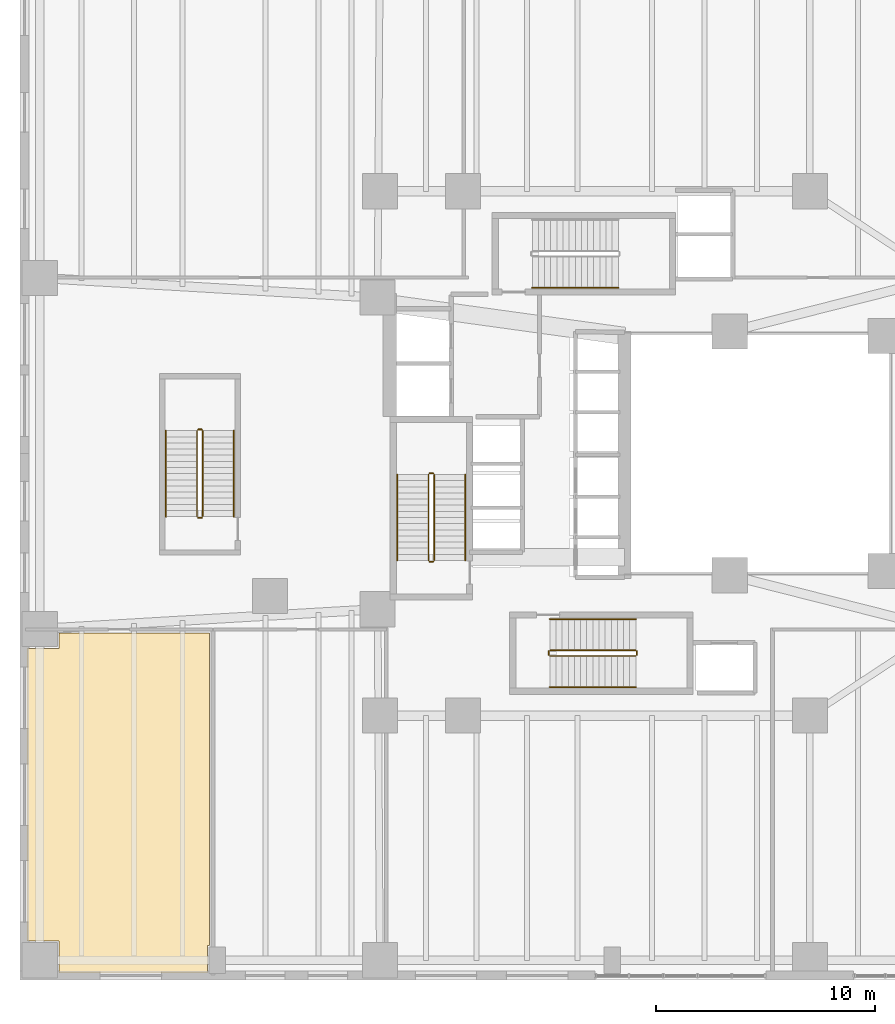
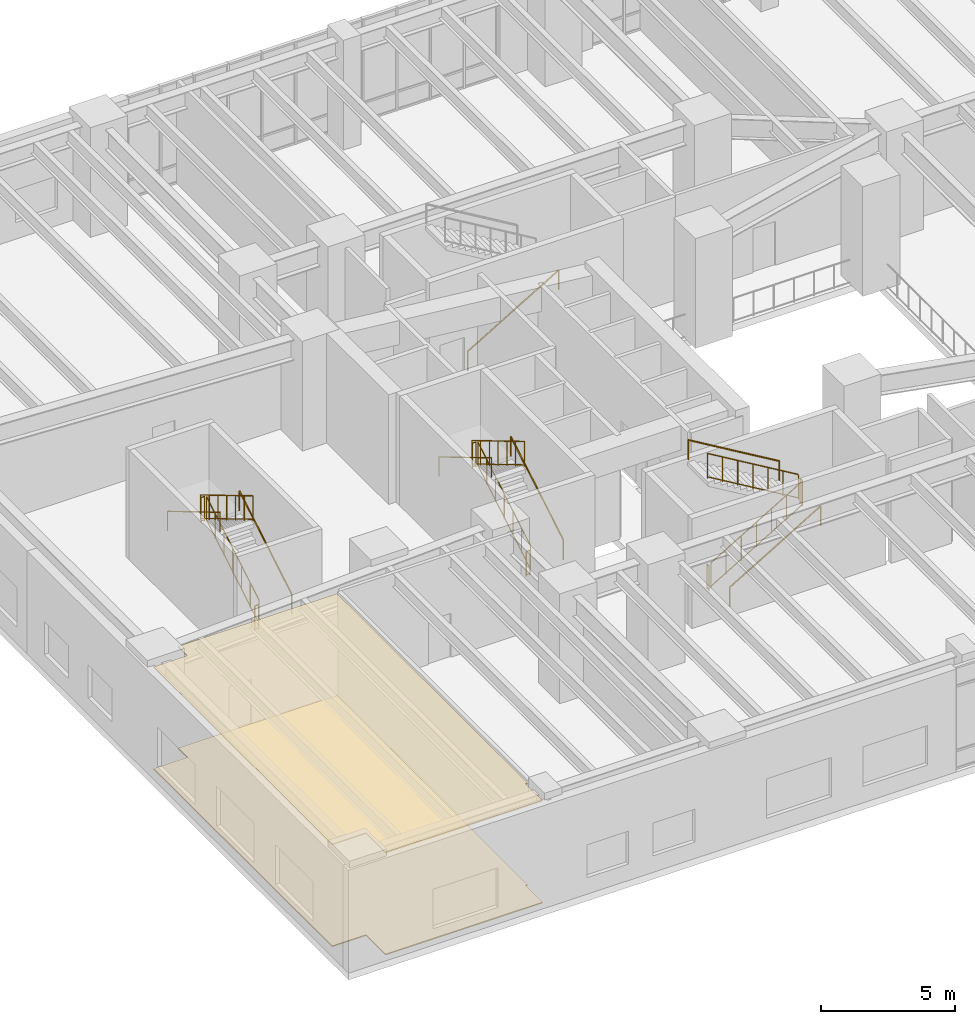
# One storey, part 25 of 26: 19 railings, 2 coverings.
"""IFC4 building model written with IfcOpenShell, lengths in metres."""

from ifc_helpers import new_model, si_unit, direction, frame, origin, origin_2d, place, context, subcontext, project, spatial, polyline, circle, outline, extrude, material, layer, layer_set, type_object, element, save


model = new_model("IFC4")

# Units and contexts
model_context = context("Model", 3, precision=1e-05, world=origin(), true_north=direction((0.0, 1.0)))
body_context = subcontext(model_context, "Body", "Model", "MODEL_VIEW")
ifc_project = project(units=[si_unit("LENGTHUNIT", "METRE"), si_unit("AREAUNIT", "SQUARE_METRE"), si_unit("VOLUMEUNIT", "CUBIC_METRE"), si_unit("PLANEANGLEUNIT", "RADIAN"), si_unit("MASSUNIT", "GRAM", prefix="KILO"), si_unit("THERMODYNAMICTEMPERATUREUNIT", "KELVIN"), si_unit("POWERUNIT", "WATT")], contexts=[model_context])

# Site, building, storey
site_placement = place(None, origin())
site = spatial("IfcSite", under=ifc_project, at=site_placement, CompositionType="ELEMENT")
building_placement = place(site_placement, origin())
building = spatial("IfcBuilding", under=site, at=building_placement, Name="Skarre Station Tower", CompositionType="ELEMENT")
storey_placement = place(building_placement, frame((0.0, 0.0, 6.0)))
storey = spatial("IfcBuildingStorey", under=building, at=storey_placement, Name="L02", CompositionType="ELEMENT", Elevation=6.0)

# Coverings
ifc_material_1 = material(Name="Honed Jura Limestone & Calcium-Sulfate Access Tile", Category="masonry")
ifc_layer_1 = layer(ifc_material_1, 0.050048828125, Name="Honed Jura Limestone & Calcium-Sulfate Access Tile")
ifc_layer_set_1 = layer_set([ifc_layer_1], Name="Honed Jura Limestone & Calcium-Sulfate Access Tile")
covering_type_1 = type_object("IfcCoveringType", Name="Honed Limestone & Raised Access Floor Finish 50", PredefinedType="FLOORING", material=ifc_layer_set_1)
covering_1_placement = place(storey_placement, origin())
element("IfcCovering", 1, at=covering_1_placement, inside=storey, type_object=covering_type_1, Name="L02 Limestone Access Flooring 1", PredefinedType="FLOORING", context=body_context, shape_type="SweptSolid", body=[
    extrude(outline(polyline([(1.780029296875, 0.320068359375), (8.544921875, 0.320068359375), (8.544921875, 1.580078125), (8.634033203125, 1.580078125), (8.634033203125, 15.820068359375), (1.780029296875, 15.820068359375), (1.780029296875, 15.1201171875), (0.320068359375, 15.1201171875), (0.320068359375, 1.780029296875), (1.780029296875, 1.780029296875), (1.780029296875, 0.320068359375)])), origin(), (0.0, 0.0, 1.0), 0.050048828125),
])
ifc_material_2 = material(Name="Perforated Nordic Birch Veneer & Mineral Wool", Category="wood")
ifc_layer_2 = layer(ifc_material_2, 0.044921875, Name="Perforated Nordic Birch Veneer & Mineral Wool")
ifc_layer_set_2 = layer_set([ifc_layer_2], Name="Perforated Nordic Birch Veneer & Mineral Wool")
covering_type_2 = type_object("IfcCoveringType", Name="Nordic Birch Slatted Acoustic Suspended Ceiling 45", PredefinedType="CEILING", material=ifc_layer_set_2)
covering_2_placement = place(storey_placement, frame((0.0, 0.0, 4.64501953125)))
element("IfcCovering", 2, at=covering_2_placement, inside=storey, type_object=covering_type_2, Name="L02 Acoustic Birch Ceiling 1", PredefinedType="CEILING", context=body_context, shape_type="SweptSolid", body=[
    extrude(outline(polyline([(1.780029296875, 0.320068359375), (8.544921875, 0.320068359375), (8.544921875, 1.580078125), (8.634033203125, 1.580078125), (8.634033203125, 15.820068359375), (1.780029296875, 15.820068359375), (1.780029296875, 15.1201171875), (0.320068359375, 15.1201171875), (0.320068359375, 1.780029296875), (1.780029296875, 1.780029296875), (1.780029296875, 0.320068359375)])), origin(), (0.0, 0.0, 1.0), 0.044921875),
])

# Railings
ifc_material_3 = material(Name="Powder-Coated Tubular Steel", Category="steel")
railing_type_1 = type_object("IfcRailingType", Name="Painted Steel Ramp & Stair Handrail 920", PredefinedType="HANDRAIL", material=ifc_material_3)
railing_1_placement = place(storey_placement, frame((20.300048828125, 19.1201171875, 0.166748046875)))
element("IfcRailing", 3, at=railing_1_placement, inside=storey, type_object=railing_type_1, Name="L02 ST-1 stair handrail 1", PredefinedType="HANDRAIL", context=body_context, shape_type="SweptSolid", body=[
    extrude(circle(Radius=0.02392578125, at=origin_2d()), frame((0.0, 0.0, 0.8759765625), z_axis=(0.0, 0.859296244711, 0.511478214419), x_axis=(-1.0, 0.0, 0.0)), (0.0, 0.0, 1.0), 4.561767578125),
    extrude(circle(Radius=0.02099609375, at=origin_2d()), origin(), (0.0, 0.0, 1.0), 0.851806640625),
    extrude(circle(Radius=0.02099609375, at=origin_2d()), frame((0.0, 3.919921875, 2.333251953125)), (0.0, 0.0, 1.0), 0.851806640625),
])
railing_2_placement = place(storey_placement, frame((17.199951171875, 23.0400390625, 2.666748046875)))
element("IfcRailing", 4, at=railing_2_placement, inside=storey, type_object=railing_type_1, Name="L02 ST-1 stair handrail 2", PredefinedType="HANDRAIL", context=body_context, shape_type="SweptSolid", body=[
    extrude(circle(Radius=0.02392578125, at=origin_2d()), frame((0.0, 0.0, 0.8759765625), z_axis=(0.0, -0.859296244711, 0.511478214419), x_axis=(1.0, 0.0, 0.0)), (0.0, 0.0, 1.0), 4.561767578125),
    extrude(circle(Radius=0.02099609375, at=origin_2d()), origin(), (0.0, 0.0, 1.0), 0.851806640625),
    extrude(circle(Radius=0.02099609375, at=origin_2d()), frame((0.0, -3.919921875, 2.333251953125)), (0.0, 0.0, 1.0), 0.851806640625),
])
railing_3_placement = place(storey_placement, frame((24.14990234375, 13.35009765625, 0.166748046875)))
element("IfcRailing", 5, at=railing_3_placement, inside=storey, type_object=railing_type_1, Name="L02 ST-2 stair handrail 1", PredefinedType="HANDRAIL", context=body_context, shape_type="SweptSolid", body=[
    extrude(circle(Radius=0.02392578125, at=origin_2d()), frame((0.0, 0.0, 0.8759765625), z_axis=(0.859310244771, 0.0, 0.511454693235), x_axis=(0.0, 1.0, 0.0)), (0.0, 0.0, 1.0), 4.56201171875),
    extrude(circle(Radius=0.02099609375, at=origin_2d()), origin(), (0.0, 0.0, 1.0), 0.851806640625),
    extrude(circle(Radius=0.02099609375, at=origin_2d()), frame((3.920166015625, 0.0, 2.333251953125)), (0.0, 0.0, 1.0), 0.851806640625),
])
railing_4_placement = place(storey_placement, frame((28.070068359375, 16.449951171875, 2.666748046875)))
element("IfcRailing", 6, at=railing_4_placement, inside=storey, type_object=railing_type_1, Name="L02 ST-2 stair handrail 2", PredefinedType="HANDRAIL", context=body_context, shape_type="SweptSolid", body=[
    extrude(circle(Radius=0.02392578125, at=origin_2d()), frame((0.0, 0.0, 0.8759765625), z_axis=(-0.859310244771, 0.0, 0.511454693235), x_axis=(0.0, -1.0, 0.0)), (0.0, 0.0, 1.0), 4.56201171875),
    extrude(circle(Radius=0.02099609375, at=origin_2d()), origin(), (0.0, 0.0, 1.0), 0.851806640625),
    extrude(circle(Radius=0.02099609375, at=origin_2d()), frame((-3.920166015625, 0.0, 2.333251953125)), (0.0, 0.0, 1.0), 0.851806640625),
])
railing_5_placement = place(storey_placement, frame((23.35009765625, 31.550048828125, 0.166748046875)))
element("IfcRailing", 7, at=railing_5_placement, inside=storey, type_object=railing_type_1, Name="L02 ST-3 stair handrail 1", PredefinedType="HANDRAIL", context=body_context, shape_type="SweptSolid", body=[
    extrude(circle(Radius=0.02392578125, at=origin_2d()), frame((0.0, 0.0, 0.8759765625), z_axis=(0.859296244711, 0.0, 0.511478214419), x_axis=(0.0, 1.0, 0.0)), (0.0, 0.0, 1.0), 4.561767578125),
    extrude(circle(Radius=0.02099609375, at=origin_2d()), origin(), (0.0, 0.0, 1.0), 0.851806640625),
    extrude(circle(Radius=0.02099609375, at=origin_2d()), frame((3.919921875, 0.0, 2.333251953125)), (0.0, 0.0, 1.0), 0.851806640625),
])
railing_6_placement = place(storey_placement, frame((9.75, 21.1201171875, 0.166748046875)))
element("IfcRailing", 8, at=railing_6_placement, inside=storey, type_object=railing_type_1, Name="L02 ST-4 stair handrail 1", PredefinedType="HANDRAIL", context=body_context, shape_type="SweptSolid", body=[
    extrude(circle(Radius=0.02392578125, at=origin_2d()), frame((0.0, 0.0, 0.8759765625), z_axis=(0.0, 0.859296244711, 0.511478214419), x_axis=(-1.0, 0.0, 0.0)), (0.0, 0.0, 1.0), 4.561767578125),
    extrude(circle(Radius=0.02099609375, at=origin_2d()), origin(), (0.0, 0.0, 1.0), 0.851806640625),
    extrude(circle(Radius=0.02099609375, at=origin_2d()), frame((0.0, 3.919921875, 2.333251953125)), (0.0, 0.0, 1.0), 0.851806640625),
])
railing_7_placement = place(storey_placement, frame((6.64990234375, 25.0400390625, 2.666748046875)))
element("IfcRailing", 9, at=railing_7_placement, inside=storey, type_object=railing_type_1, Name="L02 ST-4 stair handrail 2", PredefinedType="HANDRAIL", context=body_context, shape_type="SweptSolid", body=[
    extrude(circle(Radius=0.02392578125, at=origin_2d()), frame((0.0, 0.0, 0.8759765625), z_axis=(0.0, -0.859296244711, 0.511478214419), x_axis=(1.0, 0.0, 0.0)), (0.0, 0.0, 1.0), 4.561767578125),
    extrude(circle(Radius=0.02099609375, at=origin_2d()), origin(), (0.0, 0.0, 1.0), 0.851806640625),
    extrude(circle(Radius=0.02099609375, at=origin_2d()), frame((0.0, -3.919921875, 2.333251953125)), (0.0, 0.0, 1.0), 0.851806640625),
])
railing_type_2 = type_object("IfcRailingType", Name="Painted Steel Stairwell Guardrail 1100", PredefinedType="GUARDRAIL", material=ifc_material_3)
railing_8_placement = place(storey_placement, frame((18.8798828125, 19.1201171875, 0.166748046875)))
element("IfcRailing", 10, at=railing_8_placement, inside=storey, type_object=railing_type_2, Name="L02 ST-1 stair guard 1", PredefinedType="GUARDRAIL", context=body_context, shape_type="SweptSolid", body=[
    extrude(circle(Radius=0.02392578125, at=origin_2d()), frame((0.0, 0.0, 1.1259765625), z_axis=(0.0, 0.859296244711, 0.511478214419), x_axis=(-1.0, 0.0, 0.0)), (0.0, 0.0, 1.0), 4.561767578125),
    extrude(circle(Radius=0.02099609375, at=origin_2d()), frame((0.0, 0.0, 0.06005859375), z_axis=(0.0, 0.859296244711, 0.511478214419), x_axis=(-1.0, 0.0, 0.0)), (0.0, 0.0, 1.0), 4.561767578125),
    extrude(circle(Radius=0.02099609375, at=origin_2d()), origin(), (0.0, 0.0, 1.0), 1.101806640625),
    extrude(circle(Radius=0.02099609375, at=origin_2d()), frame((0.0, 0.6533203125, 0.388916015625)), (0.0, 0.0, 1.0), 1.101806640625),
    extrude(circle(Radius=0.02099609375, at=origin_2d()), frame((0.0, 1.306640625, 0.77783203125)), (0.0, 0.0, 1.0), 1.101806640625),
    extrude(circle(Radius=0.02099609375, at=origin_2d()), frame((0.0, 1.9599609375, 1.16650390625)), (0.0, 0.0, 1.0), 1.101806640625),
    extrude(circle(Radius=0.02099609375, at=origin_2d()), frame((0.0, 2.61328125, 1.555419921875)), (0.0, 0.0, 1.0), 1.101806640625),
    extrude(circle(Radius=0.02099609375, at=origin_2d()), frame((0.0, 3.2666015625, 1.9443359375)), (0.0, 0.0, 1.0), 1.101806640625),
    extrude(circle(Radius=0.02099609375, at=origin_2d()), frame((0.0, 3.919921875, 2.333251953125)), (0.0, 0.0, 1.0), 1.101806640625),
])
railing_9_placement = place(storey_placement, frame((18.830078125, 23.090087890625, 2.5)))
element("IfcRailing", 11, at=railing_9_placement, inside=storey, type_object=railing_type_2, Name="L02 ST-1 stair guard 2", PredefinedType="GUARDRAIL", context=body_context, shape_type="SweptSolid", body=[
    extrude(circle(Radius=0.02392578125, at=origin_2d()), frame((0.0, 0.0, 1.1259765625), z_axis=(-1.0, 0.0, 0.0), x_axis=(0.0, -1.0, 0.0)), (0.0, 0.0, 1.0), 0.16015625),
    extrude(circle(Radius=0.02099609375, at=origin_2d()), frame((0.0, 0.0, 0.06005859375), z_axis=(-1.0, 0.0, 0.0), x_axis=(0.0, -1.0, 0.0)), (0.0, 0.0, 1.0), 0.16015625),
    extrude(circle(Radius=0.02099609375, at=origin_2d()), origin(), (0.0, 0.0, 1.0), 1.101806640625),
    extrude(circle(Radius=0.02099609375, at=origin_2d()), frame((-0.16015625, 0.0, 0.0)), (0.0, 0.0, 1.0), 1.101806640625),
])
railing_10_placement = place(storey_placement, frame((18.6201171875, 23.0400390625, 2.666748046875)))
element("IfcRailing", 12, at=railing_10_placement, inside=storey, type_object=railing_type_2, Name="L02 ST-1 stair guard 3", PredefinedType="GUARDRAIL", context=body_context, shape_type="SweptSolid", body=[
    extrude(circle(Radius=0.02392578125, at=origin_2d()), frame((0.0, 0.0, 1.1259765625), z_axis=(0.0, -0.859296244711, 0.511478214419), x_axis=(1.0, 0.0, 0.0)), (0.0, 0.0, 1.0), 4.561767578125),
    extrude(circle(Radius=0.02099609375, at=origin_2d()), frame((0.0, 0.0, 0.06005859375), z_axis=(0.0, -0.859296244711, 0.511478214419), x_axis=(1.0, 0.0, 0.0)), (0.0, 0.0, 1.0), 4.561767578125),
    extrude(circle(Radius=0.02099609375, at=origin_2d()), origin(), (0.0, 0.0, 1.0), 1.101806640625),
    extrude(circle(Radius=0.02099609375, at=origin_2d()), frame((0.0, -0.6533203125, 0.388916015625)), (0.0, 0.0, 1.0), 1.101806640625),
    extrude(circle(Radius=0.02099609375, at=origin_2d()), frame((0.0, -1.306640625, 0.77783203125)), (0.0, 0.0, 1.0), 1.101806640625),
    extrude(circle(Radius=0.02099609375, at=origin_2d()), frame((0.0, -1.9599609375, 1.16650390625)), (0.0, 0.0, 1.0), 1.101806640625),
    extrude(circle(Radius=0.02099609375, at=origin_2d()), frame((0.0, -2.61328125, 1.555419921875)), (0.0, 0.0, 1.0), 1.101806640625),
    extrude(circle(Radius=0.02099609375, at=origin_2d()), frame((0.0, -3.2666015625, 1.9443359375)), (0.0, 0.0, 1.0), 1.101806640625),
    extrude(circle(Radius=0.02099609375, at=origin_2d()), frame((0.0, -3.919921875, 2.333251953125)), (0.0, 0.0, 1.0), 1.101806640625),
])
railing_11_placement = place(storey_placement, frame((18.830078125, 19.070068359375, 0.0)))
element("IfcRailing", 13, at=railing_11_placement, inside=storey, type_object=railing_type_2, Name="L02 ST-1 stair guard 4", PredefinedType="GUARDRAIL", context=body_context, shape_type="SweptSolid", body=[
    extrude(circle(Radius=0.02392578125, at=origin_2d()), frame((0.0, 0.0, 1.1259765625), z_axis=(-1.0, 0.0, 0.0), x_axis=(0.0, -1.0, 0.0)), (0.0, 0.0, 1.0), 0.16015625),
    extrude(circle(Radius=0.02099609375, at=origin_2d()), frame((0.0, 0.0, 0.06005859375), z_axis=(-1.0, 0.0, 0.0), x_axis=(0.0, -1.0, 0.0)), (0.0, 0.0, 1.0), 0.16015625),
    extrude(circle(Radius=0.02099609375, at=origin_2d()), origin(), (0.0, 0.0, 1.0), 1.101806640625),
    extrude(circle(Radius=0.02099609375, at=origin_2d()), frame((-0.16015625, 0.0, 0.0)), (0.0, 0.0, 1.0), 1.101806640625),
])
railing_12_placement = place(storey_placement, frame((24.14990234375, 14.77001953125, 0.166748046875)))
element("IfcRailing", 14, at=railing_12_placement, inside=storey, type_object=railing_type_2, Name="L02 ST-2 stair guard 1", PredefinedType="GUARDRAIL", context=body_context, shape_type="SweptSolid", body=[
    extrude(circle(Radius=0.02392578125, at=origin_2d()), frame((0.0, 0.0, 1.1259765625), z_axis=(0.859310244771, 0.0, 0.511454693235), x_axis=(0.0, 1.0, 0.0)), (0.0, 0.0, 1.0), 4.56201171875),
    extrude(circle(Radius=0.02099609375, at=origin_2d()), frame((0.0, 0.0, 0.06005859375), z_axis=(0.859310244771, 0.0, 0.511454693235), x_axis=(0.0, 1.0, 0.0)), (0.0, 0.0, 1.0), 4.56201171875),
    extrude(circle(Radius=0.02099609375, at=origin_2d()), origin(), (0.0, 0.0, 1.0), 1.101806640625),
    extrude(circle(Radius=0.02099609375, at=origin_2d()), frame((0.6533203125, 0.0, 0.388916015625)), (0.0, 0.0, 1.0), 1.101806640625),
    extrude(circle(Radius=0.02099609375, at=origin_2d()), frame((1.306640625, 0.0, 0.77783203125)), (0.0, 0.0, 1.0), 1.101806640625),
    extrude(circle(Radius=0.02099609375, at=origin_2d()), frame((1.9599609375, 0.0, 1.16650390625)), (0.0, 0.0, 1.0), 1.101806640625),
    extrude(circle(Radius=0.02099609375, at=origin_2d()), frame((2.613525390625, 0.0, 1.555419921875)), (0.0, 0.0, 1.0), 1.101806640625),
    extrude(circle(Radius=0.02099609375, at=origin_2d()), frame((3.266845703125, 0.0, 1.9443359375)), (0.0, 0.0, 1.0), 1.101806640625),
    extrude(circle(Radius=0.02099609375, at=origin_2d()), frame((3.920166015625, 0.0, 2.333251953125)), (0.0, 0.0, 1.0), 1.101806640625),
])
railing_13_placement = place(storey_placement, frame((28.1201171875, 14.820068359375, 2.5)))
element("IfcRailing", 15, at=railing_13_placement, inside=storey, type_object=railing_type_2, Name="L02 ST-2 stair guard 2", PredefinedType="GUARDRAIL", context=body_context, shape_type="SweptSolid", body=[
    extrude(circle(Radius=0.02392578125, at=origin_2d()), frame((0.0, 0.0, 1.1259765625), z_axis=(0.0, 1.0, 0.0), x_axis=(-1.0, 0.0, 0.0)), (0.0, 0.0, 1.0), 0.159912109375),
    extrude(circle(Radius=0.02099609375, at=origin_2d()), frame((0.0, 0.0, 0.06005859375), z_axis=(0.0, 1.0, 0.0), x_axis=(-1.0, 0.0, 0.0)), (0.0, 0.0, 1.0), 0.159912109375),
    extrude(circle(Radius=0.02099609375, at=origin_2d()), origin(), (0.0, 0.0, 1.0), 1.101806640625),
    extrude(circle(Radius=0.02099609375, at=origin_2d()), frame((0.0, 0.159912109375, 0.0)), (0.0, 0.0, 1.0), 1.101806640625),
])
railing_14_placement = place(storey_placement, frame((28.070068359375, 15.030029296875, 2.666748046875)))
element("IfcRailing", 16, at=railing_14_placement, inside=storey, type_object=railing_type_2, Name="L02 ST-2 stair guard 3", PredefinedType="GUARDRAIL", context=body_context, shape_type="SweptSolid", body=[
    extrude(circle(Radius=0.02392578125, at=origin_2d()), frame((0.0, 0.0, 1.1259765625), z_axis=(-0.859310244771, 0.0, 0.511454693235), x_axis=(0.0, -1.0, 0.0)), (0.0, 0.0, 1.0), 4.56201171875),
    extrude(circle(Radius=0.02099609375, at=origin_2d()), frame((0.0, 0.0, 0.06005859375), z_axis=(-0.859310244771, 0.0, 0.511454693235), x_axis=(0.0, -1.0, 0.0)), (0.0, 0.0, 1.0), 4.56201171875),
    extrude(circle(Radius=0.02099609375, at=origin_2d()), origin(), (0.0, 0.0, 1.0), 1.101806640625),
    extrude(circle(Radius=0.02099609375, at=origin_2d()), frame((-0.6533203125, 0.0, 0.388916015625)), (0.0, 0.0, 1.0), 1.101806640625),
    extrude(circle(Radius=0.02099609375, at=origin_2d()), frame((-1.306640625, 0.0, 0.77783203125)), (0.0, 0.0, 1.0), 1.101806640625),
    extrude(circle(Radius=0.02099609375, at=origin_2d()), frame((-1.9599609375, 0.0, 1.16650390625)), (0.0, 0.0, 1.0), 1.101806640625),
    extrude(circle(Radius=0.02099609375, at=origin_2d()), frame((-2.613525390625, 0.0, 1.555419921875)), (0.0, 0.0, 1.0), 1.101806640625),
    extrude(circle(Radius=0.02099609375, at=origin_2d()), frame((-3.266845703125, 0.0, 1.9443359375)), (0.0, 0.0, 1.0), 1.101806640625),
    extrude(circle(Radius=0.02099609375, at=origin_2d()), frame((-3.920166015625, 0.0, 2.333251953125)), (0.0, 0.0, 1.0), 1.101806640625),
])
railing_15_placement = place(storey_placement, frame((24.10009765625, 14.820068359375, 0.0)))
element("IfcRailing", 17, at=railing_15_placement, inside=storey, type_object=railing_type_2, Name="L02 ST-2 stair guard 4", PredefinedType="GUARDRAIL", context=body_context, shape_type="SweptSolid", body=[
    extrude(circle(Radius=0.02392578125, at=origin_2d()), frame((0.0, 0.0, 1.1259765625), z_axis=(0.0, 1.0, 0.0), x_axis=(-1.0, 0.0, 0.0)), (0.0, 0.0, 1.0), 0.159912109375),
    extrude(circle(Radius=0.02099609375, at=origin_2d()), frame((0.0, 0.0, 0.06005859375), z_axis=(0.0, 1.0, 0.0), x_axis=(-1.0, 0.0, 0.0)), (0.0, 0.0, 1.0), 0.159912109375),
    extrude(circle(Radius=0.02099609375, at=origin_2d()), origin(), (0.0, 0.0, 1.0), 1.101806640625),
    extrude(circle(Radius=0.02099609375, at=origin_2d()), frame((0.0, 0.159912109375, 0.0)), (0.0, 0.0, 1.0), 1.101806640625),
])
railing_16_placement = place(storey_placement, frame((8.330078125, 21.1201171875, 0.166748046875)))
element("IfcRailing", 18, at=railing_16_placement, inside=storey, type_object=railing_type_2, Name="L02 ST-4 stair guard 1", PredefinedType="GUARDRAIL", context=body_context, shape_type="SweptSolid", body=[
    extrude(circle(Radius=0.02392578125, at=origin_2d()), frame((0.0, 0.0, 1.1259765625), z_axis=(0.0, 0.859296244711, 0.511478214419), x_axis=(-1.0, 0.0, 0.0)), (0.0, 0.0, 1.0), 4.561767578125),
    extrude(circle(Radius=0.02099609375, at=origin_2d()), frame((0.0, 0.0, 0.06005859375), z_axis=(0.0, 0.859296244711, 0.511478214419), x_axis=(-1.0, 0.0, 0.0)), (0.0, 0.0, 1.0), 4.561767578125),
    extrude(circle(Radius=0.02099609375, at=origin_2d()), origin(), (0.0, 0.0, 1.0), 1.101806640625),
    extrude(circle(Radius=0.02099609375, at=origin_2d()), frame((0.0, 0.6533203125, 0.388916015625)), (0.0, 0.0, 1.0), 1.101806640625),
    extrude(circle(Radius=0.02099609375, at=origin_2d()), frame((0.0, 1.306640625, 0.77783203125)), (0.0, 0.0, 1.0), 1.101806640625),
    extrude(circle(Radius=0.02099609375, at=origin_2d()), frame((0.0, 1.9599609375, 1.16650390625)), (0.0, 0.0, 1.0), 1.101806640625),
    extrude(circle(Radius=0.02099609375, at=origin_2d()), frame((0.0, 2.61328125, 1.555419921875)), (0.0, 0.0, 1.0), 1.101806640625),
    extrude(circle(Radius=0.02099609375, at=origin_2d()), frame((0.0, 3.2666015625, 1.9443359375)), (0.0, 0.0, 1.0), 1.101806640625),
    extrude(circle(Radius=0.02099609375, at=origin_2d()), frame((0.0, 3.919921875, 2.333251953125)), (0.0, 0.0, 1.0), 1.101806640625),
])
railing_17_placement = place(storey_placement, frame((8.280029296875, 25.090087890625, 2.5)))
element("IfcRailing", 19, at=railing_17_placement, inside=storey, type_object=railing_type_2, Name="L02 ST-4 stair guard 2", PredefinedType="GUARDRAIL", context=body_context, shape_type="SweptSolid", body=[
    extrude(circle(Radius=0.02392578125, at=origin_2d()), frame((0.0, 0.0, 1.1259765625), z_axis=(-1.0, 0.0, 0.0), x_axis=(0.0, -1.0, 0.0)), (0.0, 0.0, 1.0), 0.159912109375),
    extrude(circle(Radius=0.02099609375, at=origin_2d()), frame((0.0, 0.0, 0.06005859375), z_axis=(-1.0, 0.0, 0.0), x_axis=(0.0, -1.0, 0.0)), (0.0, 0.0, 1.0), 0.159912109375),
    extrude(circle(Radius=0.02099609375, at=origin_2d()), origin(), (0.0, 0.0, 1.0), 1.101806640625),
    extrude(circle(Radius=0.02099609375, at=origin_2d()), frame((-0.159912109375, 0.0, 0.0)), (0.0, 0.0, 1.0), 1.101806640625),
])
railing_18_placement = place(storey_placement, frame((8.070068359375, 25.0400390625, 2.666748046875)))
element("IfcRailing", 20, at=railing_18_placement, inside=storey, type_object=railing_type_2, Name="L02 ST-4 stair guard 3", PredefinedType="GUARDRAIL", context=body_context, shape_type="SweptSolid", body=[
    extrude(circle(Radius=0.02392578125, at=origin_2d()), frame((0.0, 0.0, 1.1259765625), z_axis=(0.0, -0.859296244711, 0.511478214419), x_axis=(1.0, 0.0, 0.0)), (0.0, 0.0, 1.0), 4.561767578125),
    extrude(circle(Radius=0.02099609375, at=origin_2d()), frame((0.0, 0.0, 0.06005859375), z_axis=(0.0, -0.859296244711, 0.511478214419), x_axis=(1.0, 0.0, 0.0)), (0.0, 0.0, 1.0), 4.561767578125),
    extrude(circle(Radius=0.02099609375, at=origin_2d()), origin(), (0.0, 0.0, 1.0), 1.101806640625),
    extrude(circle(Radius=0.02099609375, at=origin_2d()), frame((0.0, -0.6533203125, 0.388916015625)), (0.0, 0.0, 1.0), 1.101806640625),
    extrude(circle(Radius=0.02099609375, at=origin_2d()), frame((0.0, -1.306640625, 0.77783203125)), (0.0, 0.0, 1.0), 1.101806640625),
    extrude(circle(Radius=0.02099609375, at=origin_2d()), frame((0.0, -1.9599609375, 1.16650390625)), (0.0, 0.0, 1.0), 1.101806640625),
    extrude(circle(Radius=0.02099609375, at=origin_2d()), frame((0.0, -2.61328125, 1.555419921875)), (0.0, 0.0, 1.0), 1.101806640625),
    extrude(circle(Radius=0.02099609375, at=origin_2d()), frame((0.0, -3.2666015625, 1.9443359375)), (0.0, 0.0, 1.0), 1.101806640625),
    extrude(circle(Radius=0.02099609375, at=origin_2d()), frame((0.0, -3.919921875, 2.333251953125)), (0.0, 0.0, 1.0), 1.101806640625),
])
railing_19_placement = place(storey_placement, frame((8.280029296875, 21.070068359375, 0.0)))
element("IfcRailing", 21, at=railing_19_placement, inside=storey, type_object=railing_type_2, Name="L02 ST-4 stair guard 4", PredefinedType="GUARDRAIL", context=body_context, shape_type="SweptSolid", body=[
    extrude(circle(Radius=0.02392578125, at=origin_2d()), frame((0.0, 0.0, 1.1259765625), z_axis=(-1.0, 0.0, 0.0), x_axis=(0.0, -1.0, 0.0)), (0.0, 0.0, 1.0), 0.159912109375),
    extrude(circle(Radius=0.02099609375, at=origin_2d()), frame((0.0, 0.0, 0.06005859375), z_axis=(-1.0, 0.0, 0.0), x_axis=(0.0, -1.0, 0.0)), (0.0, 0.0, 1.0), 0.159912109375),
    extrude(circle(Radius=0.02099609375, at=origin_2d()), origin(), (0.0, 0.0, 1.0), 1.101806640625),
    extrude(circle(Radius=0.02099609375, at=origin_2d()), frame((-0.159912109375, 0.0, 0.0)), (0.0, 0.0, 1.0), 1.101806640625),
])

save(model, "model.ifc")
